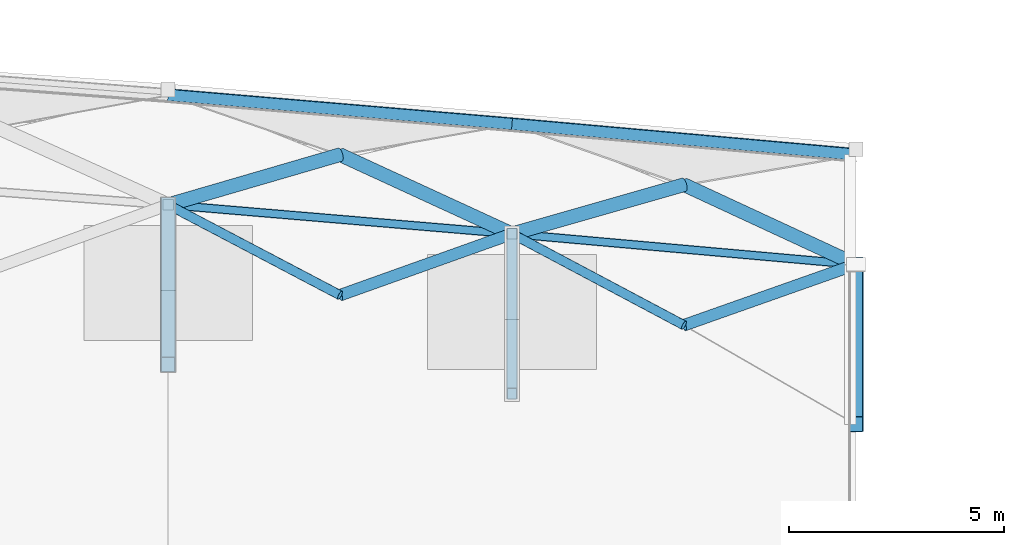
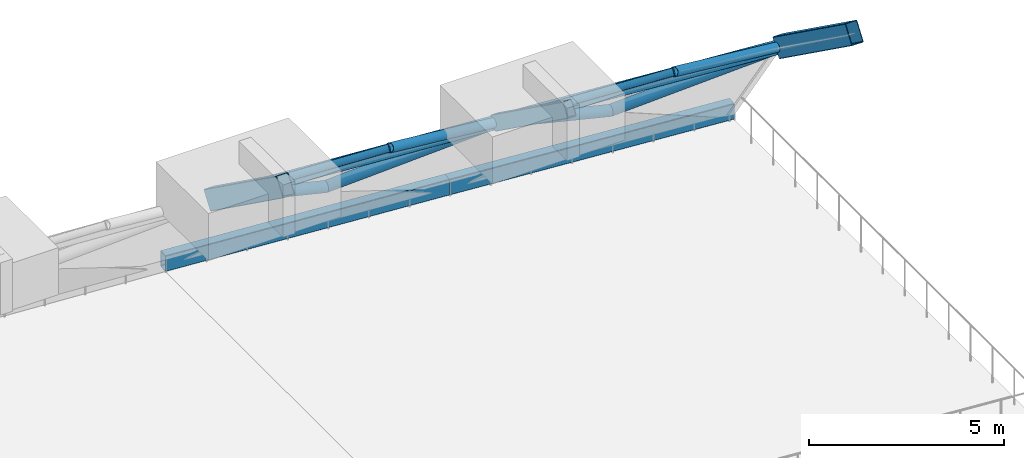
# One storey, part 26 of 67: 8 members, 7 beams.
"""IFC4 building model written with IfcOpenShell, lengths in metres."""

from ifc_helpers import new_model, si_unit, direction, frame, origin, origin_2d, place, context, subcontext, project, spatial, hollow_rectangle, hollow_circle, extrude, material, material_profile, profile_set, type_object, element, save


model = new_model("IFC4")

# Units and contexts
model_context = context("Model", 3, precision=1e-05, world=origin(), true_north=direction((0.0, 1.0)))
body_context = subcontext(model_context, "Body", "Model", "MODEL_VIEW")
ifc_project = project(units=[si_unit("LENGTHUNIT", "METRE"), si_unit("AREAUNIT", "SQUARE_METRE"), si_unit("VOLUMEUNIT", "CUBIC_METRE"), si_unit("PLANEANGLEUNIT", "RADIAN"), si_unit("MASSUNIT", "GRAM", prefix="KILO")], contexts=[model_context])

# Site, building, storey
site_placement = place(None, origin())
site = spatial("IfcSite", under=ifc_project, at=site_placement, CompositionType="ELEMENT")
building_placement = place(site_placement, origin())
building = spatial("IfcBuilding", under=site, at=building_placement, Name="Kenh Van Central Station", CompositionType="ELEMENT")
storey_placement = place(building_placement, frame((0.0, 0.0, 10.800048828125)))
storey = spatial("IfcBuildingStorey", under=building, at=storey_placement, Name="L02", CompositionType="ELEMENT", Elevation=10.800048828125)

# Beams
ifc_material = material(Name="White fluoropolymer structural steel S355", Category="steel")
ifc_material_profile_1 = material_profile(ifc_material, hollow_rectangle(XDim=0.35009765625, YDim=0.60009765625, WallThickness=0.01611328125, InnerFilletRadius=0.01611328125, OuterFilletRadius=0.031982421875, at=origin_2d()), Name="RHS 600x350x16")
ifc_profile_set_1 = profile_set([ifc_material_profile_1], Name="White fluoropolymer structural steel S355")
beam_type_1 = type_object("IfcBeamType", Name="BM-VAULT-ARCH600", PredefinedType="BEAM", material=ifc_profile_set_1)
for number, where, z_axis, x_axis, name in (
    (1, (128.0, 107.118896484375, 6.428466796875), (0.0, 0.812520116944, -0.58293315188), (-1.0, 0.0, 0.0), "Vault transverse arch 152"),
    (2, (144.0, 105.73046875, 6.428466796875), (0.0, 0.812520116944, -0.58293315188), (-1.0, 0.0, 0.0), "Vault transverse arch 176"),
):
    element("IfcBeam", number, at=place(storey_placement, frame(where, z_axis=z_axis, x_axis=x_axis)), inside=storey, type_object=beam_type_1, Name=name, PredefinedType="BEAM", context=body_context, shape_type="SweptSolid", body=[
        extrude(hollow_rectangle(XDim=0.35009765625, YDim=0.60009765625, WallThickness=0.01611328125, InnerFilletRadius=0.01611328125, OuterFilletRadius=0.031982421875, at=origin_2d()), origin(), (0.0, 0.0, 1.0), 4.57470703125),
    ])
ifc_material_profile_2 = material_profile(ifc_material, hollow_rectangle(XDim=0.199951171875, YDim=0.35009765625, WallThickness=0.010009765625, InnerFilletRadius=0.010009765625, OuterFilletRadius=0.02001953125, at=origin_2d()), Name="RHS 350x200x10")
ifc_profile_set_2 = profile_set([ifc_material_profile_2], Name="White fluoropolymer structural steel S355")
beam_type_2 = type_object("IfcBeamType", Name="BM-VAULT-EAVE350", PredefinedType="BEAM", material=ifc_profile_set_2)
beam_1_placement = place(storey_placement, frame((128.0, 110.8359375, 3.76171875), z_axis=(0.996446063383, -0.084233264025, 0.0), x_axis=(0.084233264025, 0.996446063383, 0.0)))
element("IfcBeam", 3, at=beam_1_placement, inside=storey, type_object=beam_type_2, Name="Vault portal header beam 51", PredefinedType="BEAM", context=body_context, shape_type="SweptSolid", body=[
    extrude(hollow_rectangle(XDim=0.199951171875, YDim=0.35009765625, WallThickness=0.010009765625, InnerFilletRadius=0.010009765625, OuterFilletRadius=0.02001953125, at=origin_2d()), origin(), (0.0, 0.0, 1.0), 8.028564453125),
])
beam_2_placement = place(storey_placement, frame((136.0, 110.15966796875, 3.76171875), z_axis=(0.99606113461, -0.088669138478, 0.0), x_axis=(0.088669138478, 0.99606113461, 0.0)))
element("IfcBeam", 4, at=beam_2_placement, inside=storey, type_object=beam_type_2, Name="Vault portal header beam 52", PredefinedType="BEAM", context=body_context, shape_type="SweptSolid", body=[
    extrude(hollow_rectangle(XDim=0.199951171875, YDim=0.35009765625, WallThickness=0.010009765625, InnerFilletRadius=0.010009765625, OuterFilletRadius=0.02001953125, at=origin_2d()), origin(), (0.0, 0.0, 1.0), 8.03173828125),
])
ifc_material_profile_3 = material_profile(ifc_material, hollow_rectangle(XDim=0.300048828125, YDim=0.5, WallThickness=0.01611328125, InnerFilletRadius=0.01611328125, OuterFilletRadius=0.031982421875, at=origin_2d()), Name="RHS 500x300x16")
ifc_profile_set_3 = profile_set([ifc_material_profile_3], Name="White fluoropolymer structural steel S355")
beam_type_3 = type_object("IfcBeamType", Name="BM-VAULT-RING500", PredefinedType="BEAM", material=ifc_profile_set_3)
beam_3_placement = place(storey_placement, frame((128.0, 113.388427734375, 0.260009765625), z_axis=(0.996446063383, -0.084233264025, 0.0), x_axis=(0.084233264025, 0.996446063383, 0.0)))
element("IfcBeam", 5, at=beam_3_placement, inside=storey, type_object=beam_type_3, Name="Vault springing girder 23", PredefinedType="BEAM", context=body_context, shape_type="SweptSolid", body=[
    extrude(hollow_rectangle(XDim=0.300048828125, YDim=0.5, WallThickness=0.01611328125, InnerFilletRadius=0.01611328125, OuterFilletRadius=0.031982421875, at=origin_2d()), origin(), (0.0, 0.0, 1.0), 8.028564453125),
])
beam_4_placement = place(storey_placement, frame((136.0, 112.712158203125, 0.260009765625), z_axis=(0.99606113461, -0.088669138478, 0.0), x_axis=(0.088669138478, 0.99606113461, 0.0)))
element("IfcBeam", 6, at=beam_4_placement, inside=storey, type_object=beam_type_3, Name="Vault springing girder 24", PredefinedType="BEAM", context=body_context, shape_type="SweptSolid", body=[
    extrude(hollow_rectangle(XDim=0.300048828125, YDim=0.5, WallThickness=0.01611328125, InnerFilletRadius=0.01611328125, OuterFilletRadius=0.031982421875, at=origin_2d()), origin(), (0.0, 0.0, 1.0), 8.03173828125),
])
ifc_material_profile_4 = material_profile(ifc_material, hollow_rectangle(XDim=0.25, YDim=0.449951171875, WallThickness=0.012451171875, InnerFilletRadius=0.012451171875, OuterFilletRadius=0.02490234375, at=origin_2d()), Name="RHS 450x250x12.5")
ifc_profile_set_4 = profile_set([ifc_material_profile_4], Name="White fluoropolymer structural steel S355")
beam_type_4 = type_object("IfcBeamType", Name="BM-VAULT-SUB450", PredefinedType="BEAM", material=ifc_profile_set_4)
beam_5_placement = place(storey_placement, frame((136.0, 106.442626953125, 6.428466796875), z_axis=(0.0, 0.812520116944, -0.58293315188), x_axis=(-1.0, 0.0, 0.0)))
element("IfcBeam", 7, at=beam_5_placement, inside=storey, type_object=beam_type_4, Name="Vault transverse arch 164", PredefinedType="BEAM", context=body_context, shape_type="SweptSolid", body=[
    extrude(hollow_rectangle(XDim=0.25, YDim=0.449951171875, WallThickness=0.012451171875, InnerFilletRadius=0.012451171875, OuterFilletRadius=0.02490234375, at=origin_2d()), origin(), (0.0, 0.0, 1.0), 4.57470703125),
])

# Members
ifc_material_profile_5 = material_profile(ifc_material, hollow_circle(Radius=0.109619140625, WallThickness=0.008056640625, at=origin_2d()), Name="CHS 219.1x8")
ifc_profile_set_5 = profile_set([ifc_material_profile_5], Name="White fluoropolymer structural steel S355")
member_type_1 = type_object("IfcMemberType", Name="MEM-VAULT-BRC219", PredefinedType="BRACE", material=ifc_profile_set_5)
member_1_placement = place(storey_placement, frame((128.0, 110.8359375, 3.76171875), z_axis=(0.842573082427, -0.443039984442, 0.30624528234), x_axis=(0.465401288106, 0.885099791565, 0.0)))
element("IfcMember", 8, at=member_1_placement, inside=storey, type_object=member_type_1, Name="Vault diamond grid member 0583", PredefinedType="BRACE", context=body_context, shape_type="SweptSolid", body=[
    extrude(hollow_circle(Radius=0.109619140625, WallThickness=0.008056640625, at=origin_2d()), origin(), (0.0, 0.0, 1.0), 4.747314453125),
])
member_2_placement = place(storey_placement, frame((136.0, 110.15966796875, 3.76171875), z_axis=(0.840822381301, -0.446789529517, 0.305608964883), x_axis=(0.469239293814, 0.88307105328, 0.0)))
element("IfcMember", 9, at=member_2_placement, inside=storey, type_object=member_type_1, Name="Vault diamond grid member 0631", PredefinedType="BRACE", context=body_context, shape_type="SweptSolid", body=[
    extrude(hollow_circle(Radius=0.109619140625, WallThickness=0.008056640625, at=origin_2d()), origin(), (0.0, 0.0, 1.0), 4.75732421875),
])
ifc_material_profile_6 = material_profile(ifc_material, hollow_circle(Radius=0.136474609375, WallThickness=0.010009765625, at=origin_2d()), Name="CHS 273x10")
ifc_profile_set_6 = profile_set([ifc_material_profile_6], Name="White fluoropolymer structural steel S355")
member_type_2 = type_object("IfcMemberType", Name="MEM-VAULT-CHD273", PredefinedType="CHORD", material=ifc_profile_set_6)
member_3_placement = place(storey_placement, frame((132.0, 108.732666015625, 5.215576171875), z_axis=(0.891091043197, 0.317897164764, -0.32387983168), x_axis=(-0.336008625511, 0.941858908533, 0.0)))
element("IfcMember", 10, at=member_3_placement, inside=storey, type_object=member_type_2, Name="Vault diamond grid member 0605", PredefinedType="CHORD", context=body_context, shape_type="SweptSolid", body=[
    extrude(hollow_circle(Radius=0.136474609375, WallThickness=0.010009765625, at=origin_2d()), origin(), (0.0, 0.0, 1.0), 4.48876953125),
])
member_4_placement = place(storey_placement, frame((140.0, 108.0341796875, 5.215576171875), z_axis=(0.891950930872, 0.315155269703, -0.324192370199), x_axis=(-0.333148212521, 0.942874471228, 0.0)))
element("IfcMember", 11, at=member_4_placement, inside=storey, type_object=member_type_2, Name="Vault diamond grid member 0653", PredefinedType="CHORD", context=body_context, shape_type="SweptSolid", body=[
    extrude(hollow_circle(Radius=0.136474609375, WallThickness=0.010009765625, at=origin_2d()), origin(), (0.0, 0.0, 1.0), 4.484619140625),
])
ifc_material_profile_7 = material_profile(ifc_material, hollow_circle(Radius=0.161865234375, WallThickness=0.010009765625, at=origin_2d()), Name="CHS 323.9x10")
ifc_profile_set_7 = profile_set([ifc_material_profile_7], Name="White fluoropolymer structural steel S355")
member_type_3 = type_object("IfcMemberType", Name="MEM-VAULT-CHD324", PredefinedType="CHORD", material=ifc_profile_set_7)
member_5_placement = place(storey_placement, frame((128.0, 110.8359375, 3.76171875), z_axis=(0.886447216566, 0.25824051298, -0.384087450586), x_axis=(-0.279693957338, 0.960089209516, 0.0)))
element("IfcMember", 12, at=member_5_placement, inside=storey, type_object=member_type_3, Name="Vault diamond grid member 0582", PredefinedType="CHORD", context=body_context, shape_type="SweptSolid", body=[
    extrude(hollow_circle(Radius=0.161865234375, WallThickness=0.010009765625, at=origin_2d()), origin(), (0.0, 0.0, 1.0), 4.512451171875),
])
member_6_placement = place(storey_placement, frame((132.0, 112.001220703125, 2.028564453125), z_axis=(0.845245948317, -0.389141246836, 0.366235411811), x_axis=(0.418196614442, 0.908356533344, 0.0)))
element("IfcMember", 13, at=member_6_placement, inside=storey, type_object=member_type_3, Name="Vault diamond grid member 0608", PredefinedType="CHORD", context=body_context, shape_type="SweptSolid", body=[
    extrude(hollow_circle(Radius=0.161865234375, WallThickness=0.010009765625, at=origin_2d()), origin(), (0.0, 0.0, 1.0), 4.732421875),
])
member_7_placement = place(storey_placement, frame((136.0, 110.15966796875, 3.76171875), z_axis=(0.887565657415, 0.253636621583, -0.384572058227), x_axis=(-0.274767633426, 0.96151065913, 0.0)))
element("IfcMember", 14, at=member_7_placement, inside=storey, type_object=member_type_3, Name="Vault diamond grid member 0630", PredefinedType="CHORD", context=body_context, shape_type="SweptSolid", body=[
    extrude(hollow_circle(Radius=0.161865234375, WallThickness=0.010009765625, at=origin_2d()), origin(), (0.0, 0.0, 1.0), 4.506591796875),
])
member_8_placement = place(storey_placement, frame((140.0, 111.302734375, 2.028564453125), z_axis=(0.844293774243, -0.391588646879, 0.365822845664), x_axis=(0.420753375914, 0.907175063952, 0.0)))
element("IfcMember", 15, at=member_8_placement, inside=storey, type_object=member_type_3, Name="Vault diamond grid member 0656", PredefinedType="CHORD", context=body_context, shape_type="SweptSolid", body=[
    extrude(hollow_circle(Radius=0.161865234375, WallThickness=0.010009765625, at=origin_2d()), origin(), (0.0, 0.0, 1.0), 4.73779296875),
])

save(model, "model.ifc")
